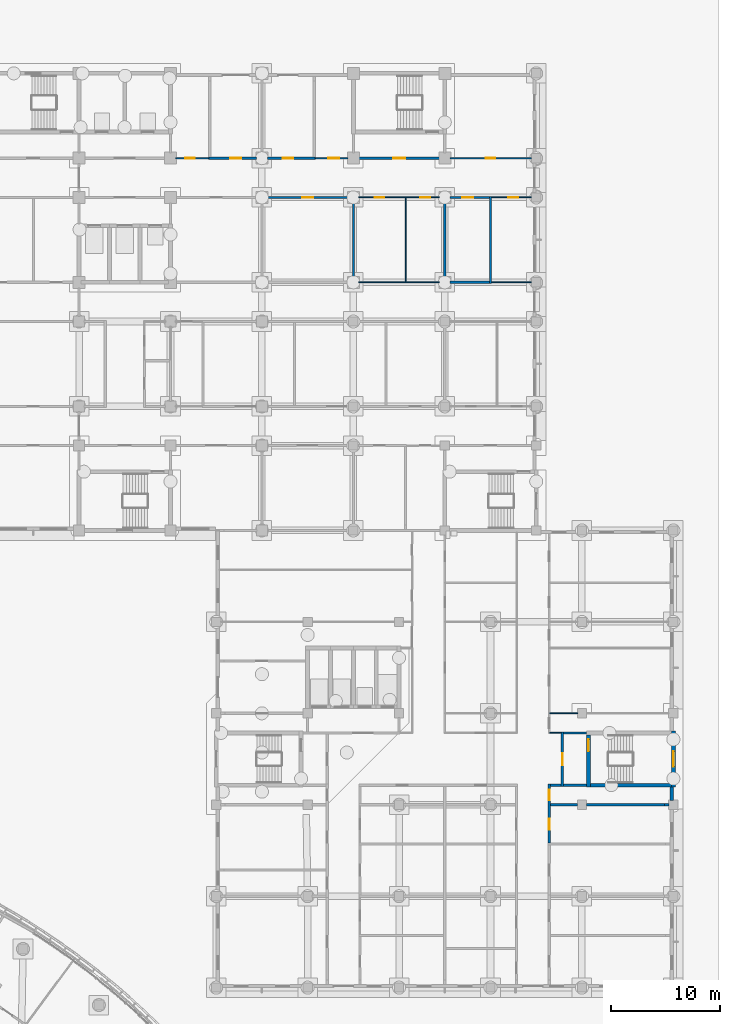
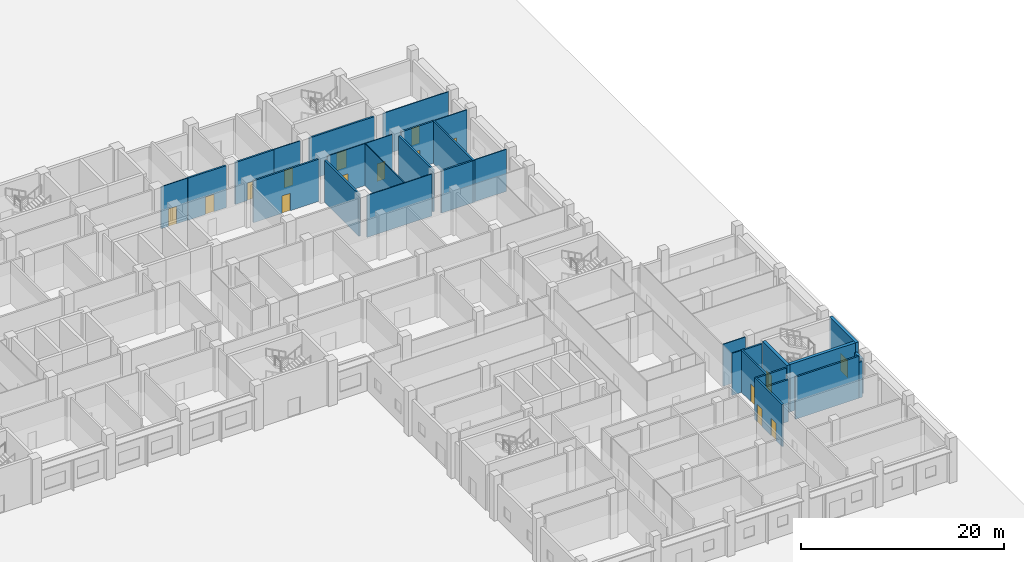
# One storey, part 88 of 146: 31 walls, 16 doors, 16 openings.
"""IFC4 building model written with IfcOpenShell, lengths in metres."""

from ifc_helpers import new_model, si_unit, direction, frame, frame_2d, origin, place, context, subcontext, project, spatial, rectangle, extrude, material, layer, layer_set, type_object, element, fill, save


model = new_model("IFC4")

# Units and contexts
model_context = context("Model", 3, precision=1e-05, world=origin(), true_north=direction((0.0, 1.0)))
body_context = subcontext(model_context, "Body", "Model", "MODEL_VIEW")
ifc_project = project(units=[si_unit("LENGTHUNIT", "METRE"), si_unit("AREAUNIT", "SQUARE_METRE"), si_unit("VOLUMEUNIT", "CUBIC_METRE"), si_unit("PLANEANGLEUNIT", "RADIAN"), si_unit("MASSUNIT", "GRAM", prefix="KILO")], contexts=[model_context])

# Site, building, storey
site_placement = place(None, origin())
site = spatial("IfcSite", under=ifc_project, at=site_placement, CompositionType="ELEMENT")
building_placement = place(site_placement, origin())
building = spatial("IfcBuilding", under=site, at=building_placement, Name="Bougainvillea Quay General Hospital", CompositionType="ELEMENT")
storey_placement = place(building_placement, origin())
storey = spatial("IfcBuildingStorey", under=building, at=storey_placement, Name="L00", CompositionType="ELEMENT", Elevation=0.0)

# Walls
ifc_material_1 = material(Name="Terracotta rainscreen cladding on insulated masonry backing, terracotta", Category="masonry")
ifc_layer_1 = layer(ifc_material_1, 0.300048828125)
ifc_layer_set_1 = layer_set([ifc_layer_1], Name="Terracotta rainscreen cladding on insulated masonry backing, terracotta")
wall_type_1 = type_object("IfcWallType", Name="External wall terracotta rainscreen 300", PredefinedType="STANDARD", material=ifc_layer_set_1)
wall_1_placement = place(storey_placement, frame((205.64990234375, 92.800048828125, 0.0), z_axis=(0.0, 0.0, 1.0), x_axis=(0.0, 1.0, 0.0)))
element("IfcWall", 1, at=wall_1_placement, inside=storey, type_object=wall_type_1, Name="External wall wall/V3/L00/p0/02c", PredefinedType="STANDARD", context=body_context, shape_type="SweptSolid", body=[
    extrude(rectangle(XDim=1.224853515625, YDim=0.300048828125, at=frame_2d((0.6123046875, 0.0))), origin(), (0.0, 0.0, 1.0), 4.25),
])
ifc_material_2 = material(Name="Gypsum board partition on steel studs", Category="steel")
ifc_layer_2 = layer(ifc_material_2, 0.10009765625)
ifc_layer_set_2 = layer_set([ifc_layer_2], Name="Gypsum board partition on steel studs")
wall_type_2 = type_object("IfcWallType", Name="Partition 100 Gypsum board partition", PredefinedType="PARTITIONING", material=ifc_layer_set_2)
wall_2_placement = place(storey_placement, frame((194.449951171875, 100.800048828125, 0.0), z_axis=(0.0, 0.0, 1.0), x_axis=(1.0, 0.0, 0.0)))
element("IfcWall", 2, at=wall_2_placement, inside=storey, type_object=wall_type_2, Name="Partition 100 mm", PredefinedType="PARTITIONING", context=body_context, shape_type="SweptSolid", body=[
    extrude(rectangle(XDim=2.550048828125, YDim=0.10009765625, at=frame_2d((1.27490234375, 0.0))), origin(), (0.0, 0.0, 1.0), 5.050048828125),
])
wall_3_placement = place(storey_placement, frame((176.89990234375, 140.39990234375, 0.0), z_axis=(0.0, 0.0, 1.0), x_axis=(1.0, 0.0, 0.0)))
element("IfcWall", 3, at=wall_3_placement, inside=storey, type_object=wall_type_2, Name="Partition 100 mm", PredefinedType="PARTITIONING", context=body_context, shape_type="SweptSolid", body=[
    extrude(rectangle(XDim=7.400146484375, YDim=0.10009765625, at=frame_2d((3.7001953125, 0.0))), origin(), (0.0, 0.0, 1.0), 5.050048828125),
])

# Wall, openings, doors
wall_4_placement = place(storey_placement, frame((176.89990234375, 148.199951171875, 0.0), z_axis=(0.0, 0.0, 1.0), x_axis=(1.0, 0.0, 0.0)))
wall_4 = element("IfcWall", 4, at=wall_4_placement, inside=storey, type_object=wall_type_2, Name="Partition 100 mm", PredefinedType="PARTITIONING", context=body_context, shape_type="SweptSolid", body=[
    extrude(rectangle(XDim=7.400146484375, YDim=0.10009765625, at=frame_2d((3.7001953125, 0.0))), origin(), (0.0, 0.0, 1.0), 5.050048828125),
])
opening_1_placement = place(wall_4_placement, frame((1.449951171875, 0.0, 0.0)))
opening_1 = element("IfcOpeningElement", 5, at=opening_1_placement, cuts=wall_4, Name="Opening L00.203", PredefinedType="OPENING", context=body_context, shape_type="SweptSolid", body=[
    extrude(rectangle(XDim=0.89990234375, YDim=2.10009765625, at=frame_2d((0.449951171875, 1.050048828125))), frame((0.0, 0.06005859375, 0.0), z_axis=(0.0, -1.0, 0.0), x_axis=(1.0, 0.0, 0.0)), (0.0, 0.0, 1.0), 0.1201171875),
])
opening_2_placement = place(wall_4_placement, frame((5.64990234375, 0.0, 0.0)))
opening_2 = element("IfcOpeningElement", 6, at=opening_2_placement, cuts=wall_4, Name="Opening L00.204", PredefinedType="OPENING", context=body_context, shape_type="SweptSolid", body=[
    extrude(rectangle(XDim=0.89990234375, YDim=2.10009765625, at=frame_2d((0.449951171875, 1.050048828125))), frame((0.0, 0.06005859375, 0.0), z_axis=(0.0, -1.0, 0.0), x_axis=(1.0, 0.0, 0.0)), (0.0, 0.0, 1.0), 0.1201171875),
])
ifc_material_3 = material(Name="Solid-core timber door leaf in steel frame", Category="steel")
door_type_1 = type_object("IfcDoorType", Name="Single leaf door 900x2100", OperationType="NOTDEFINED", PredefinedType="DOOR", material=ifc_material_3)
door_1_placement = place(opening_1_placement, frame((0.89990234375, 0.0, 0.0), z_axis=(0.0, 0.0, 1.0), x_axis=(-1.0, 0.0, 0.0)))
door_1 = element("IfcDoor", 7, at=door_1_placement, inside=storey, type_object=door_type_1, Name="DT07 L00.203", OperationType="SINGLE_SWING_RIGHT", OverallHeight=2.10009765625, OverallWidth=0.89990234375, PredefinedType="DOOR", context=body_context, shape_type="SweptSolid", body=[
    extrude(rectangle(XDim=0.89990234375, YDim=2.10009765625, at=frame_2d((0.449951171875, 1.050048828125))), frame((0.0, 0.02490234375, 0.0), z_axis=(0.0, -1.0, 0.0), x_axis=(1.0, 0.0, 0.0)), (0.0, 0.0, 1.0), 0.050048828125),
])
fill(opening_1, door_1)
door_2_placement = place(opening_2_placement, frame((0.89990234375, 0.0, 0.0), z_axis=(0.0, 0.0, 1.0), x_axis=(-1.0, 0.0, 0.0)))
door_2 = element("IfcDoor", 8, at=door_2_placement, inside=storey, type_object=door_type_1, Name="DT07 L00.204", OperationType="SINGLE_SWING_LEFT", OverallHeight=2.10009765625, OverallWidth=0.89990234375, PredefinedType="DOOR", context=body_context, shape_type="SweptSolid", body=[
    extrude(rectangle(XDim=0.89990234375, YDim=2.10009765625, at=frame_2d((0.449951171875, 1.050048828125))), frame((0.0, 0.02490234375, 0.0), z_axis=(0.0, -1.0, 0.0), x_axis=(1.0, 0.0, 0.0)), (0.0, 0.0, 1.0), 0.050048828125),
])
fill(opening_2, door_2)

# Wall, opening, door
wall_5_placement = place(storey_placement, frame((185.300048828125, 151.800048828125, 0.0), z_axis=(0.0, 0.0, 1.0), x_axis=(1.0, 0.0, 0.0)))
wall_5 = element("IfcWall", 9, at=wall_5_placement, inside=storey, type_object=wall_type_2, Name="Partition 100 mm", PredefinedType="PARTITIONING", context=body_context, shape_type="SweptSolid", body=[
    extrude(rectangle(XDim=7.449951171875, YDim=0.10009765625, at=frame_2d((3.72509765625, 0.0))), origin(), (0.0, 0.0, 1.0), 5.050048828125),
])
opening_3_placement = place(wall_5_placement, frame((3.25, 0.0, 0.0)))
opening_3 = element("IfcOpeningElement", 10, at=opening_3_placement, cuts=wall_5, Name="Opening L00.211", PredefinedType="OPENING", context=body_context, shape_type="SweptSolid", body=[
    extrude(rectangle(XDim=0.89990234375, YDim=2.10009765625, at=frame_2d((0.449951171875, 1.050048828125))), frame((0.0, 0.06005859375, 0.0), z_axis=(0.0, -1.0, 0.0), x_axis=(1.0, 0.0, 0.0)), (0.0, 0.0, 1.0), 0.1201171875),
])
door_3_placement = place(opening_3_placement, origin())
door_3 = element("IfcDoor", 11, at=door_3_placement, inside=storey, type_object=door_type_1, Name="DT07 L00.211", OperationType="SINGLE_SWING_LEFT", OverallHeight=2.10009765625, OverallWidth=0.89990234375, PredefinedType="DOOR", context=body_context, shape_type="SweptSolid", body=[
    extrude(rectangle(XDim=0.89990234375, YDim=2.10009765625, at=frame_2d((0.449951171875, 1.050048828125))), frame((0.0, 0.02490234375, 0.0), z_axis=(0.0, -1.0, 0.0), x_axis=(1.0, 0.0, 0.0)), (0.0, 0.0, 1.0), 0.050048828125),
])
fill(opening_3, door_3)

# Walls
wall_6_placement = place(storey_placement, frame((181.199951171875, 140.449951171875, 0.0), z_axis=(0.0, 0.0, 1.0), x_axis=(0.0, 1.0, 0.0)))
element("IfcWall", 12, at=wall_6_placement, inside=storey, type_object=wall_type_2, Name="Partition 100 mm", PredefinedType="PARTITIONING", context=body_context, shape_type="SweptSolid", body=[
    extrude(rectangle(XDim=7.699951171875, YDim=0.10009765625, at=frame_2d((3.85009765625, 0.0))), origin(), (0.0, 0.0, 1.0), 5.050048828125),
])
wall_7_placement = place(storey_placement, frame((189.10009765625, 140.39990234375, 0.0), z_axis=(0.0, 0.0, 1.0), x_axis=(1.0, 0.0, 0.0)))
element("IfcWall", 13, at=wall_7_placement, inside=storey, type_object=wall_type_2, Name="Partition 100 mm", PredefinedType="PARTITIONING", context=body_context, shape_type="SweptSolid", body=[
    extrude(rectangle(XDim=3.64990234375, YDim=0.10009765625, at=frame_2d((1.824951171875, 0.0))), origin(), (0.0, 0.0, 1.0), 5.050048828125),
])

# Wall, opening, door
wall_8_placement = place(storey_placement, frame((189.10009765625, 148.199951171875, 0.0), z_axis=(0.0, 0.0, 1.0), x_axis=(1.0, 0.0, 0.0)))
wall_8 = element("IfcWall", 14, at=wall_8_placement, inside=storey, type_object=wall_type_2, Name="Partition 100 mm", PredefinedType="PARTITIONING", context=body_context, shape_type="SweptSolid", body=[
    extrude(rectangle(XDim=3.64990234375, YDim=0.10009765625, at=frame_2d((1.824951171875, 0.0))), origin(), (0.0, 0.0, 1.0), 5.050048828125),
])
opening_4_placement = place(wall_8_placement, frame((1.550048828125, 0.0, 0.0)))
opening_4 = element("IfcOpeningElement", 15, at=opening_4_placement, cuts=wall_8, Name="Opening L00.206", PredefinedType="OPENING", context=body_context, shape_type="SweptSolid", body=[
    extrude(rectangle(XDim=0.89990234375, YDim=2.10009765625, at=frame_2d((0.449951171875, 1.050048828125))), frame((0.0, 0.06005859375, 0.0), z_axis=(0.0, -1.0, 0.0), x_axis=(1.0, 0.0, 0.0)), (0.0, 0.0, 1.0), 0.1201171875),
])
door_4_placement = place(opening_4_placement, frame((0.89990234375, 0.0, 0.0), z_axis=(0.0, 0.0, 1.0), x_axis=(-1.0, 0.0, 0.0)))
door_4 = element("IfcDoor", 16, at=door_4_placement, inside=storey, type_object=door_type_1, Name="DT07 L00.206", OperationType="SINGLE_SWING_LEFT", OverallHeight=2.10009765625, OverallWidth=0.89990234375, PredefinedType="DOOR", context=body_context, shape_type="SweptSolid", body=[
    extrude(rectangle(XDim=0.89990234375, YDim=2.10009765625, at=frame_2d((0.449951171875, 1.050048828125))), frame((0.0, 0.02490234375, 0.0), z_axis=(0.0, -1.0, 0.0), x_axis=(1.0, 0.0, 0.0)), (0.0, 0.0, 1.0), 0.050048828125),
])
fill(opening_4, door_4)

wall_9_placement = place(storey_placement, frame((160.10009765625, 151.800048828125, 0.0), z_axis=(0.0, 0.0, 1.0), x_axis=(1.0, 0.0, 0.0)))
wall_9 = element("IfcWall", 17, at=wall_9_placement, inside=storey, type_object=wall_type_2, Name="Partition 100 mm", PredefinedType="PARTITIONING", context=body_context, shape_type="SweptSolid", body=[
    extrude(rectangle(XDim=3.0, YDim=0.10009765625, at=frame_2d((1.5, 0.0))), origin(), (0.0, 0.0, 1.0), 5.050048828125),
])
opening_5_placement = place(wall_9_placement, frame((0.85009765625, 0.0, 0.0)))
opening_5 = element("IfcOpeningElement", 18, at=opening_5_placement, cuts=wall_9, Name="Opening L00.207", PredefinedType="OPENING", context=body_context, shape_type="SweptSolid", body=[
    extrude(rectangle(XDim=0.89990234375, YDim=2.10009765625, at=frame_2d((0.449951171875, 1.050048828125))), frame((0.0, 0.06005859375, 0.0), z_axis=(0.0, -1.0, 0.0), x_axis=(1.0, 0.0, 0.0)), (0.0, 0.0, 1.0), 0.1201171875),
])
door_5_placement = place(opening_5_placement, origin())
door_5 = element("IfcDoor", 19, at=door_5_placement, inside=storey, type_object=door_type_1, Name="DT07 L00.207", OperationType="SINGLE_SWING_LEFT", OverallHeight=2.10009765625, OverallWidth=0.89990234375, PredefinedType="DOOR", context=body_context, shape_type="SweptSolid", body=[
    extrude(rectangle(XDim=0.89990234375, YDim=2.10009765625, at=frame_2d((0.449951171875, 1.050048828125))), frame((0.0, 0.02490234375, 0.0), z_axis=(0.0, -1.0, 0.0), x_axis=(1.0, 0.0, 0.0)), (0.0, 0.0, 1.0), 0.050048828125),
])
fill(opening_5, door_5)

wall_10_placement = place(storey_placement, frame((172.89990234375, 151.800048828125, 0.0), z_axis=(0.0, 0.0, 1.0), x_axis=(1.0, 0.0, 0.0)))
wall_10 = element("IfcWall", 20, at=wall_10_placement, inside=storey, type_object=wall_type_2, Name="Partition 100 mm", PredefinedType="PARTITIONING", context=body_context, shape_type="SweptSolid", body=[
    extrude(rectangle(XDim=3.0, YDim=0.10009765625, at=frame_2d((1.5, 0.0))), origin(), (0.0, 0.0, 1.0), 5.050048828125),
])
opening_6_placement = place(wall_10_placement, frame((1.199951171875, 0.0, 0.0)))
opening_6 = element("IfcOpeningElement", 21, at=opening_6_placement, cuts=wall_10, Name="Opening L00.210", PredefinedType="OPENING", context=body_context, shape_type="SweptSolid", body=[
    extrude(rectangle(XDim=1.0, YDim=2.10009765625, at=frame_2d((0.5, 1.050048828125))), frame((0.0, 0.06005859375, 0.0), z_axis=(0.0, -1.0, 0.0), x_axis=(1.0, 0.0, 0.0)), (0.0, 0.0, 1.0), 0.1201171875),
])
door_type_2 = type_object("IfcDoorType", Name="Single leaf door 1000x2100", OperationType="NOTDEFINED", PredefinedType="DOOR", material=ifc_material_3)
door_6_placement = place(opening_6_placement, origin())
door_6 = element("IfcDoor", 22, at=door_6_placement, inside=storey, type_object=door_type_2, Name="DT06 L00.210", OperationType="SINGLE_SWING_RIGHT", OverallHeight=2.10009765625, OverallWidth=1.0, PredefinedType="DOOR", context=body_context, shape_type="SweptSolid", body=[
    extrude(rectangle(XDim=1.0, YDim=2.10009765625, at=frame_2d((0.5, 1.050048828125))), frame((0.0, 0.02490234375, 0.0), z_axis=(0.0, -1.0, 0.0), x_axis=(1.0, 0.0, 0.0)), (0.0, 0.0, 1.0), 0.050048828125),
])
fill(opening_6, door_6)

# Wall
wall_11_placement = place(storey_placement, frame((194.449951171875, 99.0, 0.0), z_axis=(0.0, 0.0, 1.0), x_axis=(1.0, 0.0, 0.0)))
element("IfcWall", 23, at=wall_11_placement, inside=storey, type_object=wall_type_2, Name="Partition 100 mm", PredefinedType="PARTITIONING", context=body_context, shape_type="SweptSolid", body=[
    extrude(rectangle(XDim=1.050048828125, YDim=0.10009765625, at=frame_2d((0.52490234375, 0.0))), origin(), (0.0, 0.0, 1.0), 5.050048828125),
])

# Wall, opening, door
ifc_material_4 = material(Name="Fire-rated autoclaved aerated block wall, plastered")
ifc_layer_3 = layer(ifc_material_4, 0.199951171875)
ifc_layer_set_3 = layer_set([ifc_layer_3], Name="Fire-rated autoclaved aerated block wall, plastered")
wall_type_3 = type_object("IfcWallType", Name="Partition 200 Fire-rated autoclaved aerated block wall EI 120", PredefinedType="SOLIDWALL", material=ifc_layer_set_3)
wall_12_placement = place(storey_placement, frame((176.89990234375, 151.800048828125, 0.0), z_axis=(0.0, 0.0, 1.0), x_axis=(1.0, 0.0, 0.0)))
wall_12 = element("IfcWall", 24, at=wall_12_placement, inside=storey, type_object=wall_type_3, Name="Partition 200 mm EI 120", PredefinedType="SOLIDWALL", context=body_context, shape_type="SweptSolid", body=[
    extrude(rectangle(XDim=7.400146484375, YDim=0.199951171875, at=frame_2d((3.7001953125, 0.0))), origin(), (0.0, 0.0, 1.0), 5.050048828125),
])
opening_7_placement = place(wall_12_placement, frame((3.14990234375, 0.0, 0.0)))
opening_7 = element("IfcOpeningElement", 25, at=opening_7_placement, cuts=wall_12, Name="Opening L00.038", PredefinedType="OPENING", context=body_context, shape_type="SweptSolid", body=[
    extrude(rectangle(XDim=1.10009765625, YDim=2.10009765625, at=frame_2d((0.550048828125, 1.050048828125))), frame((0.0, 0.10986328125, 0.0), z_axis=(0.0, -1.0, 0.0), x_axis=(1.0, 0.0, 0.0)), (0.0, 0.0, 1.0), 0.219970703125),
])
ifc_material_5 = material(Name="Steel fire door leaf in steel frame", Category="steel")
door_type_3 = type_object("IfcDoorType", Name="Steel single leaf door 1100x2100 FD60", OperationType="NOTDEFINED", PredefinedType="DOOR", material=ifc_material_5)
door_7_placement = place(opening_7_placement, origin())
door_7 = element("IfcDoor", 26, at=door_7_placement, inside=storey, type_object=door_type_3, Name="DT04 L00.038", OperationType="SINGLE_SWING_RIGHT", OverallHeight=2.10009765625, OverallWidth=1.10009765625, PredefinedType="DOOR", context=body_context, shape_type="SweptSolid", body=[
    extrude(rectangle(XDim=1.10009765625, YDim=2.10009765625, at=frame_2d((0.550048828125, 1.050048828125))), frame((0.0, 0.02490234375, 0.0), z_axis=(0.0, -1.0, 0.0), x_axis=(1.0, 0.0, 0.0)), (0.0, 0.0, 1.0), 0.050048828125),
])
fill(opening_7, door_7)

wall_13_placement = place(storey_placement, frame((195.60009765625, 94.10009765625, 0.0), z_axis=(0.0, 0.0, 1.0), x_axis=(0.0, 1.0, 0.0)))
wall_13 = element("IfcWall", 27, at=wall_13_placement, inside=storey, type_object=wall_type_3, Name="Partition 200 mm EI 120", PredefinedType="SOLIDWALL", context=body_context, shape_type="SweptSolid", body=[
    extrude(rectangle(XDim=5.0, YDim=0.199951171875, at=frame_2d((2.5, 0.0))), origin(), (0.0, 0.0, 1.0), 5.050048828125),
])
opening_8_placement = place(wall_13_placement, frame((1.949951171875, 0.0, 0.0)))
opening_8 = element("IfcOpeningElement", 28, at=opening_8_placement, cuts=wall_13, Name="Opening L00.058", PredefinedType="OPENING", context=body_context, shape_type="SweptSolid", body=[
    extrude(rectangle(XDim=1.10009765625, YDim=2.10009765625, at=frame_2d((0.550048828125, 1.050048828125))), frame((0.0, 0.10986328125, 0.0), z_axis=(0.0, -1.0, 0.0), x_axis=(1.0, 0.0, 0.0)), (0.0, 0.0, 1.0), 0.219970703125),
])
door_8_placement = place(opening_8_placement, frame((1.10009765625, 0.0, 0.0), z_axis=(0.0, 0.0, 1.0), x_axis=(-1.0, 0.0, 0.0)))
door_8 = element("IfcDoor", 29, at=door_8_placement, inside=storey, type_object=door_type_3, Name="DT04 L00.058", OperationType="SINGLE_SWING_RIGHT", OverallHeight=2.10009765625, OverallWidth=1.10009765625, PredefinedType="DOOR", context=body_context, shape_type="SweptSolid", body=[
    extrude(rectangle(XDim=1.10009765625, YDim=2.10009765625, at=frame_2d((0.550048828125, 1.050048828125))), frame((0.0, 0.02490234375, 0.0), z_axis=(0.0, -1.0, 0.0), x_axis=(1.0, 0.0, 0.0)), (0.0, 0.0, 1.0), 0.050048828125),
])
fill(opening_8, door_8)

# Walls
for number, where, z_axis, x_axis, name in (
    (30, (195.699951171875, 94.199951171875, 0.0), (0.0, 0.0, 1.0), (1.0, 0.0, 0.0), "Partition 200 mm EI 120"),
    (31, (195.699951171875, 99.0, 0.0), (0.0, 0.0, 1.0), (1.0, 0.0, 0.0), "Partition 200 mm EI 120"),
):
    element("IfcWall", number, at=place(storey_placement, frame(where, z_axis=z_axis, x_axis=x_axis)), inside=storey, type_object=wall_type_3, Name=name, PredefinedType="SOLIDWALL", context=body_context, shape_type="SweptSolid", body=[
        extrude(rectangle(XDim=2.125, YDim=0.199951171875, at=frame_2d((1.0625, 0.0))), origin(), (0.0, 0.0, 1.0), 5.050048828125),
    ])

# Wall, opening, door
ifc_layer_4 = layer(ifc_material_4, 0.199951171875)
ifc_layer_set_4 = layer_set([ifc_layer_4], Name="Fire-rated autoclaved aerated block wall, plastered")
wall_type_4 = type_object("IfcWallType", Name="Partition 200 Fire-rated autoclaved aerated block wall EI 60", PredefinedType="SOLIDWALL", material=ifc_layer_set_4)
wall_14_placement = place(storey_placement, frame((168.5, 148.199951171875, 0.0), z_axis=(0.0, 0.0, 1.0), x_axis=(1.0, 0.0, 0.0)))
wall_14 = element("IfcWall", 32, at=wall_14_placement, inside=storey, type_object=wall_type_4, Name="Partition 200 mm EI 60", PredefinedType="SOLIDWALL", context=body_context, shape_type="SweptSolid", body=[
    extrude(rectangle(XDim=7.39990234375, YDim=0.199951171875, at=frame_2d((3.699951171875, 0.0))), origin(), (0.0, 0.0, 1.0), 5.050048828125),
])
opening_9_placement = place(wall_14_placement, frame((3.199951171875, 0.0, 0.0)))
opening_9 = element("IfcOpeningElement", 33, at=opening_9_placement, cuts=wall_14, Name="Opening L00.202", PredefinedType="OPENING", context=body_context, shape_type="SweptSolid", body=[
    extrude(rectangle(XDim=1.0, YDim=2.10009765625, at=frame_2d((0.5, 1.050048828125))), frame((0.0, 0.10986328125, 0.0), z_axis=(0.0, -1.0, 0.0), x_axis=(1.0, 0.0, 0.0)), (0.0, 0.0, 1.0), 0.219970703125),
])
door_type_4 = type_object("IfcDoorType", Name="Steel single leaf door 1000x2100 FD60", OperationType="NOTDEFINED", PredefinedType="DOOR", material=ifc_material_5)
door_9_placement = place(opening_9_placement, frame((1.0, 0.0, 0.0), z_axis=(0.0, 0.0, 1.0), x_axis=(-1.0, 0.0, 0.0)))
door_9 = element("IfcDoor", 34, at=door_9_placement, inside=storey, type_object=door_type_4, Name="DT10 L00.202", OperationType="SINGLE_SWING_RIGHT", OverallHeight=2.10009765625, OverallWidth=1.0, PredefinedType="DOOR", context=body_context, shape_type="SweptSolid", body=[
    extrude(rectangle(XDim=1.0, YDim=2.10009765625, at=frame_2d((0.5, 1.050048828125))), frame((0.0, 0.02490234375, 0.0), z_axis=(0.0, -1.0, 0.0), x_axis=(1.0, 0.0, 0.0)), (0.0, 0.0, 1.0), 0.050048828125),
])
fill(opening_9, door_9)

# Wall, openings, doors
wall_15_placement = place(storey_placement, frame((194.39990234375, 88.89990234375, 0.0), z_axis=(0.0, 0.0, 1.0), x_axis=(0.0, 1.0, 0.0)))
wall_15 = element("IfcWall", 35, at=wall_15_placement, inside=storey, type_object=wall_type_4, Name="Partition 200 mm EI 60", PredefinedType="SOLIDWALL", context=body_context, shape_type="SweptSolid", body=[
    extrude(rectangle(XDim=5.400146484375, YDim=0.199951171875, at=frame_2d((2.7001953125, 0.0))), origin(), (0.0, 0.0, 1.0), 5.050048828125),
])
opening_10_placement = place(wall_15_placement, frame((3.89990234375, 0.0, 0.0)))
opening_10 = element("IfcOpeningElement", 36, at=opening_10_placement, cuts=wall_15, Name="Opening L00.110", PredefinedType="OPENING", context=body_context, shape_type="SweptSolid", body=[
    extrude(rectangle(XDim=1.0, YDim=2.10009765625, at=frame_2d((0.5, 1.050048828125))), frame((0.0, 0.10986328125, 0.0), z_axis=(0.0, -1.0, 0.0), x_axis=(1.0, 0.0, 0.0)), (0.0, 0.0, 1.0), 0.219970703125),
])
opening_11_placement = place(wall_15_placement, frame((1.199951171875, 0.0, 0.0)))
opening_11 = element("IfcOpeningElement", 37, at=opening_11_placement, cuts=wall_15, Name="Opening L00.111", PredefinedType="OPENING", context=body_context, shape_type="SweptSolid", body=[
    extrude(rectangle(XDim=1.0, YDim=2.10009765625, at=frame_2d((0.5, 1.050048828125))), frame((0.0, 0.10986328125, 0.0), z_axis=(0.0, -1.0, 0.0), x_axis=(1.0, 0.0, 0.0)), (0.0, 0.0, 1.0), 0.219970703125),
])
door_10_placement = place(opening_10_placement, frame((1.0, 0.0, 0.0), z_axis=(0.0, 0.0, 1.0), x_axis=(-1.0, 0.0, 0.0)))
door_10 = element("IfcDoor", 38, at=door_10_placement, inside=storey, type_object=door_type_4, Name="DT10 L00.110", OperationType="SINGLE_SWING_LEFT", OverallHeight=2.10009765625, OverallWidth=1.0, PredefinedType="DOOR", context=body_context, shape_type="SweptSolid", body=[
    extrude(rectangle(XDim=1.0, YDim=2.10009765625, at=frame_2d((0.5, 1.050048828125))), frame((0.0, 0.02490234375, 0.0), z_axis=(0.0, -1.0, 0.0), x_axis=(1.0, 0.0, 0.0)), (0.0, 0.0, 1.0), 0.050048828125),
])
fill(opening_10, door_10)
door_11_placement = place(opening_11_placement, frame((1.0, 0.0, 0.0), z_axis=(0.0, 0.0, 1.0), x_axis=(-1.0, 0.0, 0.0)))
door_11 = element("IfcDoor", 39, at=door_11_placement, inside=storey, type_object=door_type_4, Name="DT10 L00.111", OperationType="SINGLE_SWING_RIGHT", OverallHeight=2.10009765625, OverallWidth=1.0, PredefinedType="DOOR", context=body_context, shape_type="SweptSolid", body=[
    extrude(rectangle(XDim=1.0, YDim=2.10009765625, at=frame_2d((0.5, 1.050048828125))), frame((0.0, 0.02490234375, 0.0), z_axis=(0.0, -1.0, 0.0), x_axis=(1.0, 0.0, 0.0)), (0.0, 0.0, 1.0), 0.050048828125),
])
fill(opening_11, door_11)

# Walls
wall_16_placement = place(storey_placement, frame((194.5, 92.39990234375, 0.0), z_axis=(0.0, 0.0, 1.0), x_axis=(1.0, 0.0, 0.0)))
element("IfcWall", 40, at=wall_16_placement, inside=storey, type_object=wall_type_4, Name="Partition 200 mm EI 60", PredefinedType="SOLIDWALL", context=body_context, shape_type="SweptSolid", body=[
    extrude(rectangle(XDim=2.5, YDim=0.199951171875, at=frame_2d((1.25, 0.0))), origin(), (0.0, 0.0, 1.0), 5.050048828125),
])
wall_17_placement = place(storey_placement, frame((197.800048828125, 92.39990234375, 0.0), z_axis=(0.0, 0.0, 1.0), x_axis=(1.0, 0.0, 0.0)))
element("IfcWall", 41, at=wall_17_placement, inside=storey, type_object=wall_type_4, Name="Partition 200 mm EI 60", PredefinedType="SOLIDWALL", context=body_context, shape_type="SweptSolid", body=[
    extrude(rectangle(XDim=7.199951171875, YDim=0.199951171875, at=frame_2d((3.60009765625, 0.0))), origin(), (0.0, 0.0, 1.0), 5.050048828125),
])
wall_18_placement = place(storey_placement, frame((205.0, 92.39990234375, 0.0), z_axis=(0.0, 0.0, 1.0), x_axis=(1.0, 0.0, 0.0)))
element("IfcWall", 42, at=wall_18_placement, inside=storey, type_object=wall_type_4, Name="Partition 200 mm EI 60", PredefinedType="SOLIDWALL", context=body_context, shape_type="SweptSolid", body=[
    extrude(rectangle(XDim=0.39990234375, YDim=0.199951171875, at=frame_2d((0.199951171875, 0.0))), origin(), (0.0, 0.0, 1.0), 4.280029296875),
])

# Wall, opening, door
wall_19_placement = place(storey_placement, frame((163.10009765625, 151.800048828125, 0.0), z_axis=(0.0, 0.0, 1.0), x_axis=(1.0, 0.0, 0.0)))
wall_19 = element("IfcWall", 43, at=wall_19_placement, inside=storey, type_object=wall_type_4, Name="Partition 200 mm EI 60", PredefinedType="SOLIDWALL", context=body_context, shape_type="SweptSolid", body=[
    extrude(rectangle(XDim=4.39990234375, YDim=0.199951171875, at=frame_2d((2.199951171875, 0.0))), origin(), (0.0, 0.0, 1.0), 5.050048828125),
])
opening_12_placement = place(wall_19_placement, frame((2.0, 0.0, 0.0)))
opening_12 = element("IfcOpeningElement", 44, at=opening_12_placement, cuts=wall_19, Name="Opening L00.208", PredefinedType="OPENING", context=body_context, shape_type="SweptSolid", body=[
    extrude(rectangle(XDim=1.0, YDim=2.10009765625, at=frame_2d((0.5, 1.050048828125))), frame((0.0, 0.10986328125, 0.0), z_axis=(0.0, -1.0, 0.0), x_axis=(1.0, 0.0, 0.0)), (0.0, 0.0, 1.0), 0.219970703125),
])
door_12_placement = place(opening_12_placement, origin())
door_12 = element("IfcDoor", 45, at=door_12_placement, inside=storey, type_object=door_type_4, Name="DT10 L00.208", OperationType="SINGLE_SWING_RIGHT", OverallHeight=2.10009765625, OverallWidth=1.0, PredefinedType="DOOR", context=body_context, shape_type="SweptSolid", body=[
    extrude(rectangle(XDim=1.0, YDim=2.10009765625, at=frame_2d((0.5, 1.050048828125))), frame((0.0, 0.02490234375, 0.0), z_axis=(0.0, -1.0, 0.0), x_axis=(1.0, 0.0, 0.0)), (0.0, 0.0, 1.0), 0.050048828125),
])
fill(opening_12, door_12)

wall_20_placement = place(storey_placement, frame((168.5, 151.800048828125, 0.0), z_axis=(0.0, 0.0, 1.0), x_axis=(1.0, 0.0, 0.0)))
wall_20 = element("IfcWall", 46, at=wall_20_placement, inside=storey, type_object=wall_type_4, Name="Partition 200 mm EI 60", PredefinedType="SOLIDWALL", context=body_context, shape_type="SweptSolid", body=[
    extrude(rectangle(XDim=4.39990234375, YDim=0.199951171875, at=frame_2d((2.199951171875, 0.0))), origin(), (0.0, 0.0, 1.0), 5.050048828125),
])
opening_13_placement = place(wall_20_placement, frame((1.39990234375, 0.0, 0.0)))
opening_13 = element("IfcOpeningElement", 47, at=opening_13_placement, cuts=wall_20, Name="Opening L00.209", PredefinedType="OPENING", context=body_context, shape_type="SweptSolid", body=[
    extrude(rectangle(XDim=1.0, YDim=2.10009765625, at=frame_2d((0.5, 1.050048828125))), frame((0.0, 0.10986328125, 0.0), z_axis=(0.0, -1.0, 0.0), x_axis=(1.0, 0.0, 0.0)), (0.0, 0.0, 1.0), 0.219970703125),
])
door_13_placement = place(opening_13_placement, origin())
door_13 = element("IfcDoor", 48, at=door_13_placement, inside=storey, type_object=door_type_4, Name="DT10 L00.209", OperationType="SINGLE_SWING_LEFT", OverallHeight=2.10009765625, OverallWidth=1.0, PredefinedType="DOOR", context=body_context, shape_type="SweptSolid", body=[
    extrude(rectangle(XDim=1.0, YDim=2.10009765625, at=frame_2d((0.5, 1.050048828125))), frame((0.0, 0.02490234375, 0.0), z_axis=(0.0, -1.0, 0.0), x_axis=(1.0, 0.0, 0.0)), (0.0, 0.0, 1.0), 0.050048828125),
])
fill(opening_13, door_13)

# Walls
for number, where, z_axis, x_axis, name in (
    (49, (176.39990234375, 140.89990234375, 0.0), (0.0, 0.0, 1.0), (0.0, 1.0, 0.0), "Partition 200 mm EI 60"),
    (50, (184.800048828125, 140.89990234375, 0.0), (0.0, 0.0, 1.0), (0.0, 1.0, 0.0), "Partition 200 mm EI 60"),
):
    element("IfcWall", number, at=place(storey_placement, frame(where, z_axis=z_axis, x_axis=x_axis)), inside=storey, type_object=wall_type_4, Name=name, PredefinedType="SOLIDWALL", context=body_context, shape_type="SweptSolid", body=[
        extrude(rectangle(XDim=6.800048828125, YDim=0.199951171875, at=frame_2d((3.39990234375, 0.0))), origin(), (0.0, 0.0, 1.0), 5.050048828125),
    ])
wall_21_placement = place(storey_placement, frame((189.0, 140.300048828125, 0.0), z_axis=(0.0, 0.0, 1.0), x_axis=(0.0, 1.0, 0.0)))
element("IfcWall", 51, at=wall_21_placement, inside=storey, type_object=wall_type_4, Name="Partition 200 mm EI 60", PredefinedType="SOLIDWALL", context=body_context, shape_type="SweptSolid", body=[
    extrude(rectangle(XDim=8.0, YDim=0.199951171875, at=frame_2d((4.0, 0.0))), origin(), (0.0, 0.0, 1.0), 5.050048828125),
])
wall_22_placement = place(storey_placement, frame((185.300048828125, 140.39990234375, 0.0), z_axis=(0.0, 0.0, 1.0), x_axis=(1.0, 0.0, 0.0)))
element("IfcWall", 52, at=wall_22_placement, inside=storey, type_object=wall_type_4, Name="Partition 200 mm EI 60", PredefinedType="SOLIDWALL", context=body_context, shape_type="SweptSolid", body=[
    extrude(rectangle(XDim=3.599853515625, YDim=0.199951171875, at=frame_2d((1.7998046875, 0.0))), origin(), (0.0, 0.0, 1.0), 5.050048828125),
])

# Wall, opening, door
wall_23_placement = place(storey_placement, frame((185.300048828125, 148.199951171875, 0.0), z_axis=(0.0, 0.0, 1.0), x_axis=(1.0, 0.0, 0.0)))
wall_23 = element("IfcWall", 53, at=wall_23_placement, inside=storey, type_object=wall_type_4, Name="Partition 200 mm EI 60", PredefinedType="SOLIDWALL", context=body_context, shape_type="SweptSolid", body=[
    extrude(rectangle(XDim=3.599853515625, YDim=0.199951171875, at=frame_2d((1.7998046875, 0.0))), origin(), (0.0, 0.0, 1.0), 5.050048828125),
])
opening_14_placement = place(wall_23_placement, frame((1.10009765625, 0.0, 0.0)))
opening_14 = element("IfcOpeningElement", 54, at=opening_14_placement, cuts=wall_23, Name="Opening L00.205", PredefinedType="OPENING", context=body_context, shape_type="SweptSolid", body=[
    extrude(rectangle(XDim=1.0, YDim=2.10009765625, at=frame_2d((0.5, 1.050048828125))), frame((0.0, 0.10986328125, 0.0), z_axis=(0.0, -1.0, 0.0), x_axis=(1.0, 0.0, 0.0)), (0.0, 0.0, 1.0), 0.219970703125),
])
door_14_placement = place(opening_14_placement, frame((1.0, 0.0, 0.0), z_axis=(0.0, 0.0, 1.0), x_axis=(-1.0, 0.0, 0.0)))
door_14 = element("IfcDoor", 55, at=door_14_placement, inside=storey, type_object=door_type_4, Name="DT10 L00.205", OperationType="SINGLE_SWING_RIGHT", OverallHeight=2.10009765625, OverallWidth=1.0, PredefinedType="DOOR", context=body_context, shape_type="SweptSolid", body=[
    extrude(rectangle(XDim=1.0, YDim=2.10009765625, at=frame_2d((0.5, 1.050048828125))), frame((0.0, 0.02490234375, 0.0), z_axis=(0.0, -1.0, 0.0), x_axis=(1.0, 0.0, 0.0)), (0.0, 0.0, 1.0), 0.050048828125),
])
fill(opening_14, door_14)

# Wall
wall_24_placement = place(storey_placement, frame((194.5, 94.199951171875, 0.0), z_axis=(0.0, 0.0, 1.0), x_axis=(1.0, 0.0, 0.0)))
element("IfcWall", 56, at=wall_24_placement, inside=storey, type_object=wall_type_4, Name="Partition 200 mm EI 60", PredefinedType="SOLIDWALL", context=body_context, shape_type="SweptSolid", body=[
    extrude(rectangle(XDim=1.0, YDim=0.199951171875, at=frame_2d((0.5, 0.0))), origin(), (0.0, 0.0, 1.0), 5.050048828125),
])

# Wall, opening, door
ifc_material_6 = material(Name="Concrete C40", Category="concrete")
ifc_layer_5 = layer(ifc_material_6, 0.35009765625)
ifc_layer_set_5 = layer_set([ifc_layer_5], Name="Concrete C40")
wall_type_5 = type_object("IfcWallType", Name="RC SHEAR WALL 350 C40", PredefinedType="SHEAR", material=ifc_layer_set_5)
wall_25_placement = place(storey_placement, frame((198.0, 94.02490234375, -0.300048828125), z_axis=(0.0, 0.0, 1.0), x_axis=(0.0, 1.0, 0.0)))
wall_25 = element("IfcWall", 57, at=wall_25_placement, inside=storey, type_object=wall_type_5, Name="Shear wall L00", PredefinedType="SHEAR", context=body_context, shape_type="SweptSolid", body=[
    extrude(rectangle(XDim=4.800048828125, YDim=0.35009765625, at=frame_2d((2.39990234375, 0.0))), origin(), (0.0, 0.0, 1.0), 5.699951171875),
])
opening_15_placement = place(wall_25_placement, frame((3.27490234375, 0.0, 0.300048828125)))
opening_15 = element("IfcOpeningElement", 58, at=opening_15_placement, cuts=wall_25, Name="Opening L00.034", PredefinedType="OPENING", context=body_context, shape_type="SweptSolid", body=[
    extrude(rectangle(XDim=1.10009765625, YDim=2.10009765625, at=frame_2d((0.550048828125, 1.050048828125))), frame((0.0, 0.18505859375, 0.0), z_axis=(0.0, -1.0, 0.0), x_axis=(1.0, 0.0, 0.0)), (0.0, 0.0, 1.0), 0.3701171875),
])
door_15_placement = place(opening_15_placement, frame((1.10009765625, 0.0, 0.0), z_axis=(0.0, 0.0, 1.0), x_axis=(-1.0, 0.0, 0.0)))
door_15 = element("IfcDoor", 59, at=door_15_placement, inside=storey, type_object=door_type_3, Name="DT04 L00.034", OperationType="SINGLE_SWING_LEFT", OverallHeight=2.10009765625, OverallWidth=1.10009765625, PredefinedType="DOOR", context=body_context, shape_type="SweptSolid", body=[
    extrude(rectangle(XDim=1.10009765625, YDim=2.10009765625, at=frame_2d((0.550048828125, 1.050048828125))), frame((0.0, 0.02490234375, 0.0), z_axis=(0.0, -1.0, 0.0), x_axis=(1.0, 0.0, 0.0)), (0.0, 0.0, 1.0), 0.050048828125),
])
fill(opening_15, door_15)

# Wall
wall_26_placement = place(storey_placement, frame((198.175048828125, 94.199951171875, -0.300048828125), z_axis=(0.0, 0.0, 1.0), x_axis=(1.0, 0.0, 0.0)))
element("IfcWall", 60, at=wall_26_placement, inside=storey, type_object=wall_type_5, Name="Shear wall L00", PredefinedType="SHEAR", context=body_context, shape_type="SweptSolid", body=[
    extrude(rectangle(XDim=7.449951171875, YDim=0.35009765625, at=frame_2d((3.72509765625, 0.0))), origin(), (0.0, 0.0, 1.0), 5.699951171875),
])

# Wall, opening, door
wall_27_placement = place(storey_placement, frame((205.800048828125, 94.02490234375, -0.300048828125), z_axis=(0.0, 0.0, 1.0), x_axis=(0.0, 1.0, 0.0)))
wall_27 = element("IfcWall", 61, at=wall_27_placement, inside=storey, type_object=wall_type_5, Name="Shear wall L00", PredefinedType="SHEAR", context=body_context, shape_type="SweptSolid", body=[
    extrude(rectangle(XDim=5.150146484375, YDim=0.35009765625, at=frame_2d((2.5751953125, 0.0))), origin(), (0.0, 0.0, 1.0), 5.699951171875),
])
opening_16_placement = place(wall_27_placement, frame((1.875, 0.0, 0.300048828125)))
opening_16 = element("IfcOpeningElement", 62, at=opening_16_placement, cuts=wall_27, Name="Opening L00.334", PredefinedType="OPENING", context=body_context, shape_type="SweptSolid", body=[
    extrude(rectangle(XDim=1.39990234375, YDim=2.10009765625, at=frame_2d((0.699951171875, 1.050048828125))), frame((0.0, 0.18505859375, 0.0), z_axis=(0.0, -1.0, 0.0), x_axis=(1.0, 0.0, 0.0)), (0.0, 0.0, 1.0), 0.3701171875),
])
ifc_material_7 = material(Name="Steel door leaf, painted, with vision panel", Category="steel")
door_type_5 = type_object("IfcDoorType", Name="Stair discharge door 1400x2100", OperationType="SINGLE_SWING_LEFT", PredefinedType="DOOR", material=ifc_material_7)
door_16_placement = place(opening_16_placement, frame((1.39990234375, 0.0, 0.0), z_axis=(0.0, 0.0, 1.0), x_axis=(-1.0, 0.0, 0.0)))
door_16 = element("IfcDoor", 63, at=door_16_placement, inside=storey, type_object=door_type_5, Name="Stair discharge door ST-T2", OperationType="SINGLE_SWING_LEFT", OverallHeight=2.10009765625, OverallWidth=1.39990234375, PredefinedType="DOOR", context=body_context, shape_type="SweptSolid", body=[
    extrude(rectangle(XDim=1.39990234375, YDim=2.10009765625, at=frame_2d((0.699951171875, 1.050048828125))), frame((0.0, 0.02490234375, 0.0), z_axis=(0.0, -1.0, 0.0), x_axis=(1.0, 0.0, 0.0)), (0.0, 0.0, 1.0), 0.050048828125),
])
fill(opening_16, door_16)

save(model, "model.ifc")
